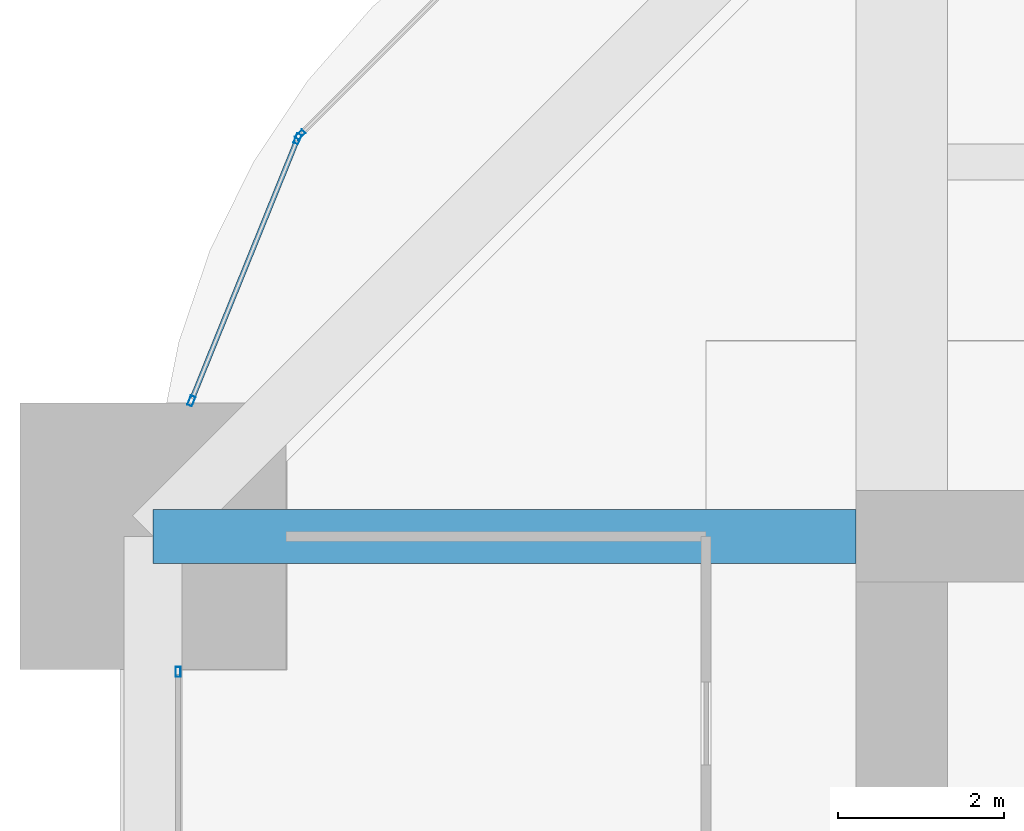
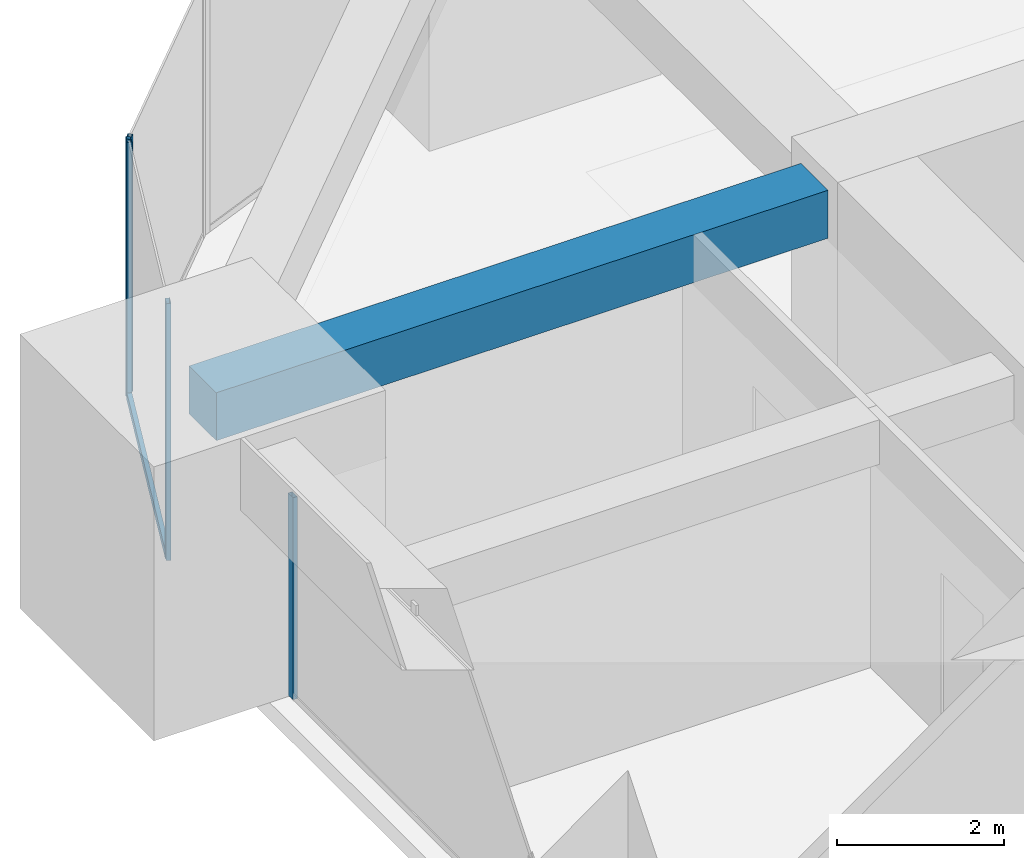
# One storey, part 27 of 43: 5 members, 1 beam, 3 elements without a shape of their own.
"""IFC4 building model written with IfcOpenShell, lengths in metres."""

from ifc_helpers import new_model, si_unit, direction, frame, origin, origin_2d, place, context, subcontext, project, spatial, rectangle, hollow_rectangle, extrude, material, material_profile, profile_set, type_object, element, aggregate, save


model = new_model("IFC4")

# Units and contexts
model_context = context("Model", 3, precision=1e-05, world=origin(), true_north=direction((0.0, 1.0)))
body_context = subcontext(model_context, "Body", "Model", "MODEL_VIEW")
ifc_project = project(units=[si_unit("LENGTHUNIT", "METRE"), si_unit("AREAUNIT", "SQUARE_METRE"), si_unit("VOLUMEUNIT", "CUBIC_METRE"), si_unit("PLANEANGLEUNIT", "RADIAN"), si_unit("MASSUNIT", "GRAM", prefix="KILO")], contexts=[model_context])

# Site, building, storey
site_placement = place(None, origin())
site = spatial("IfcSite", under=ifc_project, at=site_placement, CompositionType="ELEMENT")
building_placement = place(site_placement, origin())
building = spatial("IfcBuilding", under=site, at=building_placement, Name="Zorevar Civic Tower", CompositionType="ELEMENT")
storey_placement = place(building_placement, frame((0.0, 0.0, 243.39990234375)))
storey = spatial("IfcBuildingStorey", under=building, at=storey_placement, Name="L59", CompositionType="ELEMENT", Elevation=243.39990234375)

# Beam
ifc_material_1 = material(Name="Concrete C50/60", Category="concrete")
ifc_material_profile_1 = material_profile(ifc_material_1, rectangle(XDim=0.64990234375, YDim=0.699951171875, at=origin_2d()), Name="RC 650x700")
ifc_profile_set_1 = profile_set([ifc_material_profile_1], Name="Concrete C50/60")
beam_type = type_object("IfcBeamType", Name="Beam RC 650x700", PredefinedType="BEAM", material=ifc_profile_set_1)
beam_placement = place(storey_placement, frame((9.0, 36.0, 3.400146484375), z_axis=(1.0, 0.0, 0.0), x_axis=(0.0, 1.0, 0.0)))
element("IfcBeam", 1, at=beam_placement, inside=storey, type_object=beam_type, Name="Girder L60", PredefinedType="BEAM", context=body_context, shape_type="SweptSolid", body=[
    extrude(rectangle(XDim=0.64990234375, YDim=0.699951171875, at=origin_2d()), origin(), (0.0, 0.0, 1.0), 8.449951171875),
])

# Curtain wall, member
ifc_material_2 = material(Name="Dark grey solar-control glass in black aluminium frame", Category="aluminium")
curtain_wall_type = type_object("IfcCurtainWallType", Name="Curtain wall CW5 top zone", PredefinedType="NOTDEFINED", material=ifc_material_2)
curtain_wall_1_placement = place(storey_placement, origin())
curtain_wall_1 = element("IfcCurtainWall", 2, at=curtain_wall_1_placement, inside=storey, type_object=curtain_wall_type, Name="CW5 L59", PredefinedType="NOTDEFINED")
ifc_material_3 = material(Name="Aluminium, black anodised", Category="aluminium")
ifc_material_profile_2 = material_profile(ifc_material_3, hollow_rectangle(XDim=0.06005859375, YDim=0.1201171875, WallThickness=0.0029296875, at=origin_2d()), Name="AL 120x60x3")
ifc_profile_set_2 = profile_set([ifc_material_profile_2], Name="Aluminium, black anodised")
member_type_1 = type_object("IfcMemberType", Name="CW5 mullion AL 120x60x3", PredefinedType="MULLION", material=ifc_profile_set_2)
member_1_placement = place(storey_placement, frame((9.300048828125, 34.3701171875, 0.0), z_axis=(0.0, 0.0, 1.0), x_axis=(-1.0, 0.0, 0.0)))
member_1 = element("IfcMember", 3, at=member_1_placement, type_object=member_type_1, Name="CW5 mullion 2", PredefinedType="MULLION", context=body_context, shape_type="SweptSolid", body=[
    extrude(hollow_rectangle(XDim=0.06005859375, YDim=0.1201171875, WallThickness=0.0029296875, at=origin_2d()), origin(), (0.0, 0.0, 1.0), 2.9501953125),
])
aggregate(curtain_wall_1, [member_1])

curtain_wall_2_placement = place(storey_placement, origin())
curtain_wall_2 = element("IfcCurtainWall", 4, at=curtain_wall_2_placement, inside=storey, type_object=curtain_wall_type, Name="CW5 L59", PredefinedType="NOTDEFINED")
member_2_placement = place(storey_placement, frame((10.76904296875, 40.8271484375, 0.0), z_axis=(0.0, 0.0, 1.0), x_axis=(0.707106781187, -0.707106781187, 0.0)))
member_2 = element("IfcMember", 5, at=member_2_placement, type_object=member_type_1, Name="CW5 mullion 2", PredefinedType="MULLION", context=body_context, shape_type="SweptSolid", body=[
    extrude(hollow_rectangle(XDim=0.06005859375, YDim=0.1201171875, WallThickness=0.0029296875, at=origin_2d()), origin(), (0.0, 0.0, 1.0), 3.75),
])
aggregate(curtain_wall_2, [member_2])

# Curtain wall, members
curtain_wall_3_placement = place(storey_placement, origin())
curtain_wall_3 = element("IfcCurtainWall", 6, at=curtain_wall_3_placement, inside=storey, type_object=curtain_wall_type, Name="CW5 L59", PredefinedType="NOTDEFINED")
member_3_placement = place(storey_placement, frame((10.736572265625, 40.778076171875, 0.0), z_axis=(0.0, 0.0, 1.0), x_axis=(0.926761540227, -0.375650166453, 0.0)))
member_3 = element("IfcMember", 7, at=member_3_placement, type_object=member_type_1, Name="CW5 mullion 1", PredefinedType="MULLION", context=body_context, shape_type="SweptSolid", body=[
    extrude(hollow_rectangle(XDim=0.06005859375, YDim=0.1201171875, WallThickness=0.0029296875, at=origin_2d()), origin(), (0.0, 0.0, 1.0), 3.75),
])
member_4_placement = place(storey_placement, frame((9.459716796875, 37.627685546875, 0.0), z_axis=(0.0, 0.0, 1.0), x_axis=(0.926761540227, -0.375650166453, 0.0)))
member_4 = element("IfcMember", 8, at=member_4_placement, type_object=member_type_1, Name="CW5 mullion 2", PredefinedType="MULLION", context=body_context, shape_type="SweptSolid", body=[
    extrude(hollow_rectangle(XDim=0.06005859375, YDim=0.1201171875, WallThickness=0.0029296875, at=origin_2d()), origin(), (0.0, 0.0, 1.0), 3.75),
])
ifc_material_4 = material(Name="Aluminium, black anodised", Category="aluminium")
ifc_material_profile_3 = material_profile(ifc_material_4, hollow_rectangle(XDim=0.06005859375, YDim=0.1201171875, WallThickness=0.0029296875, at=origin_2d()), Name="AL 120x60x3")
ifc_profile_set_3 = profile_set([ifc_material_profile_3], Name="Aluminium, black anodised")
member_type_2 = type_object("IfcMemberType", Name="CW5 transom AL 120x60x3", PredefinedType="USERDEFINED", material=ifc_profile_set_3)
member_5_placement = place(storey_placement, frame((10.725341796875, 40.750244140625, 0.030029296875), z_axis=(-0.375647407638, -0.92676265847, 0.0), x_axis=(0.92676265847, -0.375647407638, 0.0)))
member_5 = element("IfcMember", 9, at=member_5_placement, type_object=member_type_2, Name="CW5 sill transom", ObjectType="TRANSOM", PredefinedType="USERDEFINED", context=body_context, shape_type="SweptSolid", body=[
    extrude(hollow_rectangle(XDim=0.06005859375, YDim=0.1201171875, WallThickness=0.0029296875, at=origin_2d()), origin(), (0.0, 0.0, 1.0), 3.33935546875),
])
aggregate(curtain_wall_3, [member_3, member_4, member_5])

save(model, "model.ifc")
